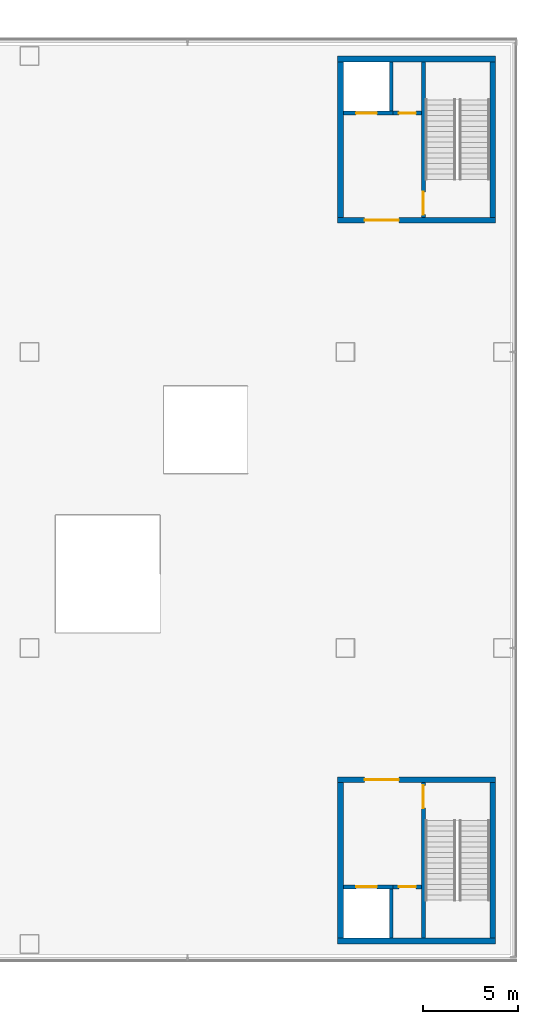
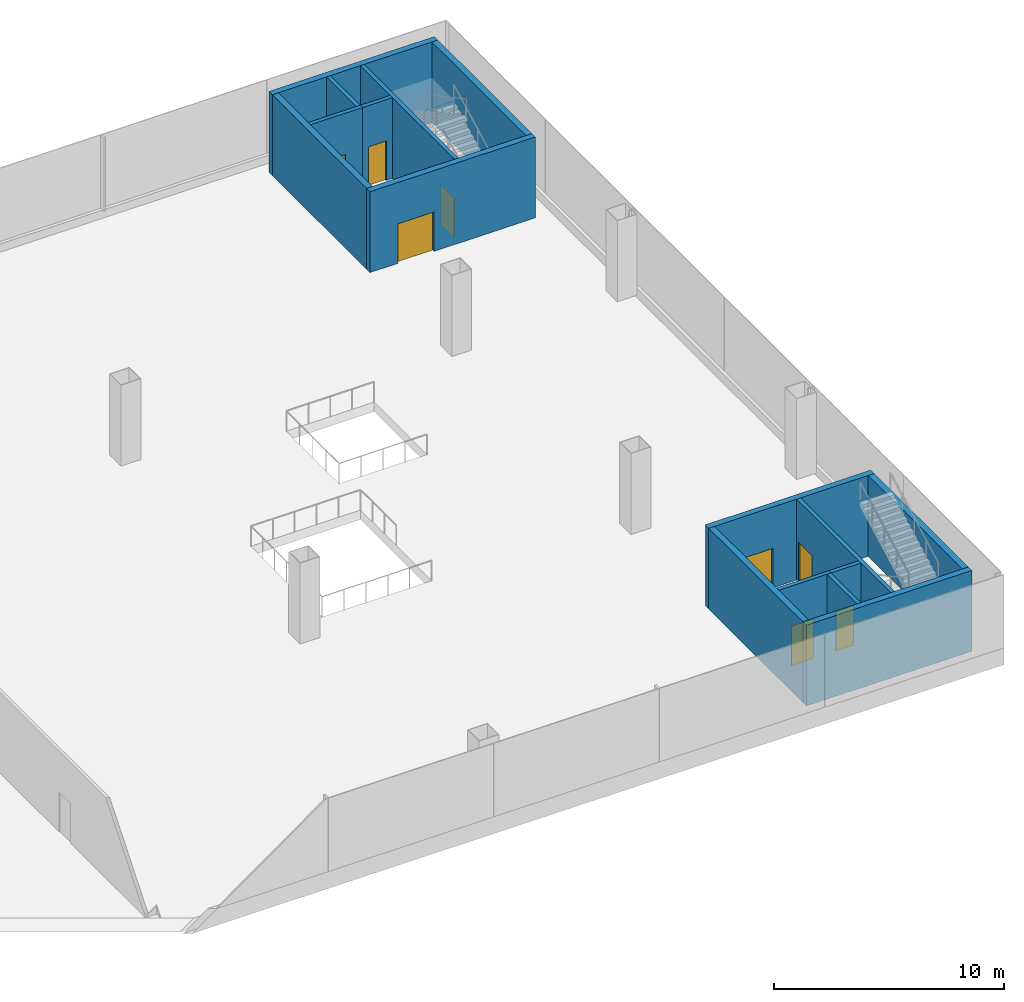
# One storey, part 26 of 53: 16 walls, 8 doors, 8 openings.
"""IFC4 building model written with IfcOpenShell, lengths in metres."""

from ifc_helpers import new_model, si_unit, direction, frame, frame_2d, origin, place, context, subcontext, project, spatial, rectangle, extrude, material, layer, layer_set, type_object, element, fill, save


model = new_model("IFC4")

# Units and contexts
model_context = context("Model", 3, precision=1e-05, world=origin(), true_north=direction((0.0, 1.0)))
body_context = subcontext(model_context, "Body", "Model", "MODEL_VIEW")
ifc_project = project(units=[si_unit("LENGTHUNIT", "METRE"), si_unit("AREAUNIT", "SQUARE_METRE"), si_unit("VOLUMEUNIT", "CUBIC_METRE"), si_unit("PLANEANGLEUNIT", "RADIAN"), si_unit("MASSUNIT", "GRAM", prefix="KILO")], contexts=[model_context])

# Site, building, storey
site_placement = place(None, origin())
site = spatial("IfcSite", under=ifc_project, at=site_placement, CompositionType="ELEMENT")
building_placement = place(site_placement, origin())
building = spatial("IfcBuilding", under=site, at=building_placement, Name="Hakoniwa Tower and Hamabe Station Hall", CompositionType="ELEMENT")
storey_placement = place(building_placement, frame((0.0, 0.0, 15.0)))
storey = spatial("IfcBuildingStorey", under=building, at=storey_placement, Name="L03", CompositionType="ELEMENT", Elevation=15.0)

# Wall, opening, door
ifc_material_1 = material(Name="Concrete block masonry fb10", Category="masonry")
ifc_layer_1 = layer(ifc_material_1, 0.199951171875)
ifc_layer_set_1 = layer_set([ifc_layer_1], Name="BLOCK WALL 200 EI 60")
wall_type_1 = type_object("IfcWallType", Name="BLOCK WALL 200 EI 60", PredefinedType="PARTITIONING", material=ifc_layer_set_1)
wall_1_placement = place(storey_placement, frame((164.85009765625, 20.39990234375, 0.0), z_axis=(0.0, 0.0, 1.0), x_axis=(-1.0, 0.0, 0.0)))
wall_1 = element("IfcWall", 1, at=wall_1_placement, inside=storey, type_object=wall_type_1, Name="Station riser room wall SC2 L03", PredefinedType="PARTITIONING", context=body_context, shape_type="SweptSolid", body=[
    extrude(rectangle(XDim=1.5, YDim=0.199951171875, at=frame_2d((0.75, 0.0))), origin(), (0.0, 0.0, 1.0), 4.300048828125),
])
opening_1_placement = place(wall_1_placement, frame((0.300048828125, 0.0, 0.0)))
opening_1 = element("IfcOpeningElement", 2, at=opening_1_placement, cuts=wall_1, Name="Opening SD-L03-015", PredefinedType="OPENING", context=body_context, shape_type="SweptSolid", body=[
    extrude(rectangle(XDim=0.89990234375, YDim=2.10009765625, at=frame_2d((0.449951171875, 1.050048828125))), frame((0.0, 0.10986328125, 0.0), z_axis=(0.0, -1.0, 0.0), x_axis=(1.0, 0.0, 0.0)), (0.0, 0.0, 1.0), 0.219970703125),
])
ifc_material_2 = material(Name="Steel fire door", Category="steel")
door_type_1 = type_object("IfcDoorType", Name="FIRE DOOR 900X2100 FD30", OperationType="SINGLE_SWING_LEFT", PredefinedType="DOOR", material=ifc_material_2)
door_1_placement = place(opening_1_placement, origin())
door_1 = element("IfcDoor", 3, at=door_1_placement, inside=storey, type_object=door_type_1, Name="Door riser SC2", OperationType="SINGLE_SWING_RIGHT", OverallHeight=2.10009765625, OverallWidth=0.89990234375, PredefinedType="DOOR", context=body_context, shape_type="SweptSolid", body=[
    extrude(rectangle(XDim=0.89990234375, YDim=2.10009765625, at=frame_2d((0.449951171875, 1.050048828125))), frame((0.0, 0.02490234375, 0.0), z_axis=(0.0, -1.0, 0.0), x_axis=(1.0, 0.0, 0.0)), (0.0, 0.0, 1.0), 0.050048828125),
])
fill(opening_1, door_1)

wall_2_placement = place(storey_placement, frame((164.85009765625, -20.39990234375, 0.0), z_axis=(0.0, 0.0, 1.0), x_axis=(-1.0, 0.0, 0.0)))
wall_2 = element("IfcWall", 4, at=wall_2_placement, inside=storey, type_object=wall_type_1, Name="Station riser room wall SC4 L03", PredefinedType="PARTITIONING", context=body_context, shape_type="SweptSolid", body=[
    extrude(rectangle(XDim=1.5, YDim=0.199951171875, at=frame_2d((0.75, 0.0))), origin(), (0.0, 0.0, 1.0), 4.300048828125),
])
opening_2_placement = place(wall_2_placement, frame((0.300048828125, 0.0, 0.0)))
opening_2 = element("IfcOpeningElement", 5, at=opening_2_placement, cuts=wall_2, Name="Opening SD-L03-021", PredefinedType="OPENING", context=body_context, shape_type="SweptSolid", body=[
    extrude(rectangle(XDim=0.89990234375, YDim=2.10009765625, at=frame_2d((0.449951171875, 1.050048828125))), frame((0.0, 0.10986328125, 0.0), z_axis=(0.0, -1.0, 0.0), x_axis=(1.0, 0.0, 0.0)), (0.0, 0.0, 1.0), 0.219970703125),
])
door_2_placement = place(opening_2_placement, origin())
door_2 = element("IfcDoor", 6, at=door_2_placement, inside=storey, type_object=door_type_1, Name="Door riser SC4", OperationType="SINGLE_SWING_LEFT", OverallHeight=2.10009765625, OverallWidth=0.89990234375, PredefinedType="DOOR", context=body_context, shape_type="SweptSolid", body=[
    extrude(rectangle(XDim=0.89990234375, YDim=2.10009765625, at=frame_2d((0.449951171875, 1.050048828125))), frame((0.0, 0.02490234375, 0.0), z_axis=(0.0, -1.0, 0.0), x_axis=(1.0, 0.0, 0.0)), (0.0, 0.0, 1.0), 0.050048828125),
])
fill(opening_2, door_2)

ifc_material_3 = material(Name="Concrete C60", Category="concrete")
ifc_layer_2 = layer(ifc_material_3, 0.199951171875)
ifc_layer_set_2 = layer_set([ifc_layer_2], Name="RC WALL 200 EI 120 C60")
wall_type_2 = type_object("IfcWallType", Name="RC WALL 200 EI 120 C60", PredefinedType="SHEAR", material=ifc_layer_set_2)
wall_3_placement = place(storey_placement, frame((164.949951171875, 23.10009765625, 0.0), z_axis=(0.0, 0.0, 1.0), x_axis=(0.0, -1.0, 0.0)))
wall_3 = element("IfcWall", 7, at=wall_3_placement, inside=storey, type_object=wall_type_2, Name="Station stair wall SC2 L03", PredefinedType="SHEAR", context=body_context, shape_type="SweptSolid", body=[
    extrude(rectangle(XDim=8.2001953125, YDim=0.199951171875, at=frame_2d((4.10009765625, 0.0))), origin(), (0.0, 0.0, 1.0), 4.300048828125),
])
opening_3_placement = place(wall_3_placement, frame((6.85009765625, 0.0, 0.0)))
opening_3 = element("IfcOpeningElement", 8, at=opening_3_placement, cuts=wall_3, Name="Opening SD-L03-014", PredefinedType="OPENING", context=body_context, shape_type="SweptSolid", body=[
    extrude(rectangle(XDim=1.199951171875, YDim=2.10009765625, at=frame_2d((0.60009765625, 1.050048828125))), frame((0.0, 0.10986328125, 0.0), z_axis=(0.0, -1.0, 0.0), x_axis=(1.0, 0.0, 0.0)), (0.0, 0.0, 1.0), 0.219970703125),
])
ifc_material_4 = material(Name="Steel fire door", Category="steel")
door_type_2 = type_object("IfcDoorType", Name="FIRE DOOR 1200X2100 FD60", OperationType="SINGLE_SWING_LEFT", PredefinedType="DOOR", material=ifc_material_4)
door_3_placement = place(opening_3_placement, origin())
door_3 = element("IfcDoor", 9, at=door_3_placement, inside=storey, type_object=door_type_2, Name="Door escape stair SC2", OperationType="SINGLE_SWING_LEFT", OverallHeight=2.10009765625, OverallWidth=1.199951171875, PredefinedType="DOOR", context=body_context, shape_type="SweptSolid", body=[
    extrude(rectangle(XDim=1.199951171875, YDim=2.10009765625, at=frame_2d((0.60009765625, 1.050048828125))), frame((0.0, 0.02490234375, 0.0), z_axis=(0.0, -1.0, 0.0), x_axis=(1.0, 0.0, 0.0)), (0.0, 0.0, 1.0), 0.050048828125),
])
fill(opening_3, door_3)

wall_4_placement = place(storey_placement, frame((164.949951171875, -23.10009765625, 0.0), z_axis=(0.0, 0.0, 1.0), x_axis=(0.0, 1.0, 0.0)))
wall_4 = element("IfcWall", 10, at=wall_4_placement, inside=storey, type_object=wall_type_2, Name="Station stair wall SC4 L03", PredefinedType="SHEAR", context=body_context, shape_type="SweptSolid", body=[
    extrude(rectangle(XDim=8.2001953125, YDim=0.199951171875, at=frame_2d((4.10009765625, 0.0))), origin(), (0.0, 0.0, 1.0), 4.300048828125),
])
opening_4_placement = place(wall_4_placement, frame((6.85009765625, 0.0, 0.0)))
opening_4 = element("IfcOpeningElement", 11, at=opening_4_placement, cuts=wall_4, Name="Opening SD-L03-020", PredefinedType="OPENING", context=body_context, shape_type="SweptSolid", body=[
    extrude(rectangle(XDim=1.199951171875, YDim=2.10009765625, at=frame_2d((0.60009765625, 1.050048828125))), frame((0.0, 0.10986328125, 0.0), z_axis=(0.0, -1.0, 0.0), x_axis=(1.0, 0.0, 0.0)), (0.0, 0.0, 1.0), 0.219970703125),
])
door_4_placement = place(opening_4_placement, origin())
door_4 = element("IfcDoor", 12, at=door_4_placement, inside=storey, type_object=door_type_2, Name="Door escape stair SC4", OperationType="SINGLE_SWING_LEFT", OverallHeight=2.10009765625, OverallWidth=1.199951171875, PredefinedType="DOOR", context=body_context, shape_type="SweptSolid", body=[
    extrude(rectangle(XDim=1.199951171875, YDim=2.10009765625, at=frame_2d((0.60009765625, 1.050048828125))), frame((0.0, 0.02490234375, 0.0), z_axis=(0.0, -1.0, 0.0), x_axis=(1.0, 0.0, 0.0)), (0.0, 0.0, 1.0), 0.050048828125),
])
fill(opening_4, door_4)

# Wall
ifc_material_5 = material(Name="Concrete C60", Category="concrete")
ifc_layer_3 = layer(ifc_material_5, 0.199951171875)
ifc_layer_set_3 = layer_set([ifc_layer_3], Name="RC WALL 200 EI 60 C60")
wall_type_3 = type_object("IfcWallType", Name="RC WALL 200 EI 60 C60", PredefinedType="SHEAR", material=ifc_layer_set_3)
wall_5_placement = place(storey_placement, frame((163.25, 23.10009765625, 0.0), z_axis=(0.0, 0.0, 1.0), x_axis=(0.0, -1.0, 0.0)))
element("IfcWall", 13, at=wall_5_placement, inside=storey, type_object=wall_type_3, Name="Station hoistway wall SC2 L03", PredefinedType="SHEAR", context=body_context, shape_type="SweptSolid", body=[
    extrude(rectangle(XDim=2.60009765625, YDim=0.199951171875, at=frame_2d((1.300048828125, 0.0))), origin(), (0.0, 0.0, 1.0), 4.300048828125),
])

# Wall, opening, door
wall_6_placement = place(storey_placement, frame((163.35009765625, 20.39990234375, 0.0), z_axis=(0.0, 0.0, 1.0), x_axis=(-1.0, 0.0, 0.0)))
wall_6 = element("IfcWall", 14, at=wall_6_placement, inside=storey, type_object=wall_type_3, Name="Station hoistway front wall SC2 L03", PredefinedType="SHEAR", context=body_context, shape_type="SweptSolid", body=[
    extrude(rectangle(XDim=2.6201171875, YDim=0.199951171875, at=frame_2d((1.31005859375, 0.0))), origin(), (0.0, 0.0, 1.0), 4.300048828125),
])
opening_5_placement = place(wall_6_placement, frame((0.85009765625, 0.0, 0.0)))
opening_5 = element("IfcOpeningElement", 15, at=opening_5_placement, cuts=wall_6, Name="Opening LD-SL2-L03", PredefinedType="OPENING", context=body_context, shape_type="SweptSolid", body=[
    extrude(rectangle(XDim=1.10009765625, YDim=2.10009765625, at=frame_2d((0.550048828125, 1.050048828125))), frame((0.0, 0.10986328125, 0.0), z_axis=(0.0, -1.0, 0.0), x_axis=(1.0, 0.0, 0.0)), (0.0, 0.0, 1.0), 0.219970703125),
])
ifc_material_6 = material(Name="Stainless steel SUS304", Category="steel")
door_type_3 = type_object("IfcDoorType", Name="LIFT LANDING DOOR 1100X2100", OperationType="DOUBLE_DOOR_SLIDING", PredefinedType="DOOR", material=ifc_material_6)
door_5_placement = place(opening_5_placement, origin())
door_5 = element("IfcDoor", 16, at=door_5_placement, inside=storey, type_object=door_type_3, Name="Lift landing door SL2 L03", OperationType="DOUBLE_DOOR_SLIDING", OverallHeight=2.10009765625, OverallWidth=1.10009765625, PredefinedType="DOOR", context=body_context, shape_type="SweptSolid", body=[
    extrude(rectangle(XDim=1.10009765625, YDim=2.10009765625, at=frame_2d((0.550048828125, 1.050048828125))), frame((0.0, 0.02490234375, 0.0), z_axis=(0.0, -1.0, 0.0), x_axis=(1.0, 0.0, 0.0)), (0.0, 0.0, 1.0), 0.050048828125),
])
fill(opening_5, door_5)

# Wall
wall_7_placement = place(storey_placement, frame((163.25, -23.10009765625, 0.0), z_axis=(0.0, 0.0, 1.0), x_axis=(0.0, 1.0, 0.0)))
element("IfcWall", 17, at=wall_7_placement, inside=storey, type_object=wall_type_3, Name="Station hoistway wall SC4 L03", PredefinedType="SHEAR", context=body_context, shape_type="SweptSolid", body=[
    extrude(rectangle(XDim=2.60009765625, YDim=0.199951171875, at=frame_2d((1.300048828125, 0.0))), origin(), (0.0, 0.0, 1.0), 4.300048828125),
])

# Wall, opening, door
wall_8_placement = place(storey_placement, frame((163.35009765625, -20.39990234375, 0.0), z_axis=(0.0, 0.0, 1.0), x_axis=(-1.0, 0.0, 0.0)))
wall_8 = element("IfcWall", 18, at=wall_8_placement, inside=storey, type_object=wall_type_3, Name="Station hoistway front wall SC4 L03", PredefinedType="SHEAR", context=body_context, shape_type="SweptSolid", body=[
    extrude(rectangle(XDim=2.6201171875, YDim=0.199951171875, at=frame_2d((1.31005859375, 0.0))), origin(), (0.0, 0.0, 1.0), 4.300048828125),
])
opening_6_placement = place(wall_8_placement, frame((0.85009765625, 0.0, 0.0)))
opening_6 = element("IfcOpeningElement", 19, at=opening_6_placement, cuts=wall_8, Name="Opening LD-SL4-L03", PredefinedType="OPENING", context=body_context, shape_type="SweptSolid", body=[
    extrude(rectangle(XDim=1.10009765625, YDim=2.10009765625, at=frame_2d((0.550048828125, 1.050048828125))), frame((0.0, 0.10986328125, 0.0), z_axis=(0.0, -1.0, 0.0), x_axis=(1.0, 0.0, 0.0)), (0.0, 0.0, 1.0), 0.219970703125),
])
door_6_placement = place(opening_6_placement, origin())
door_6 = element("IfcDoor", 20, at=door_6_placement, inside=storey, type_object=door_type_3, Name="Lift landing door SL4 L03", OperationType="DOUBLE_DOOR_SLIDING", OverallHeight=2.10009765625, OverallWidth=1.10009765625, PredefinedType="DOOR", context=body_context, shape_type="SweptSolid", body=[
    extrude(rectangle(XDim=1.10009765625, YDim=2.10009765625, at=frame_2d((0.550048828125, 1.050048828125))), frame((0.0, 0.02490234375, 0.0), z_axis=(0.0, -1.0, 0.0), x_axis=(1.0, 0.0, 0.0)), (0.0, 0.0, 1.0), 0.050048828125),
])
fill(opening_6, door_6)

# Wall
ifc_material_7 = material(Name="Concrete C60", Category="concrete")
ifc_layer_4 = layer(ifc_material_7, 0.300048828125)
ifc_layer_set_4 = layer_set([ifc_layer_4], Name="RC WALL 300 EI 120 C60")
wall_type_4 = type_object("IfcWallType", Name="RC WALL 300 EI 120 C60", PredefinedType="SHEAR", material=ifc_layer_set_4)
wall_9_placement = place(storey_placement, frame((168.75, 23.25, 0.0), z_axis=(0.0, 0.0, 1.0), x_axis=(-1.0, 0.0, 0.0)))
element("IfcWall", 21, at=wall_9_placement, inside=storey, type_object=wall_type_4, Name="Station core wall SC2 outer-v L03", PredefinedType="SHEAR", context=body_context, shape_type="SweptSolid", body=[
    extrude(rectangle(XDim=8.320068359375, YDim=0.300048828125, at=frame_2d((4.16015625, 0.0))), origin(), (0.0, 0.0, 1.0), 4.300048828125),
])

# Wall, opening, door
wall_10_placement = place(storey_placement, frame((168.75, 14.75, 0.0), z_axis=(0.0, 0.0, 1.0), x_axis=(-1.0, 0.0, 0.0)))
wall_10 = element("IfcWall", 22, at=wall_10_placement, inside=storey, type_object=wall_type_4, Name="Station core wall SC2 inner-v L03", PredefinedType="SHEAR", context=body_context, shape_type="SweptSolid", body=[
    extrude(rectangle(XDim=8.320068359375, YDim=0.300048828125, at=frame_2d((4.16015625, 0.0))), origin(), (0.0, 0.0, 1.0), 4.300048828125),
])
opening_7_placement = place(wall_10_placement, frame((5.10009765625, 0.0, 0.0)))
opening_7 = element("IfcOpeningElement", 23, at=opening_7_placement, cuts=wall_10, Name="Opening SD-L03-013", PredefinedType="OPENING", context=body_context, shape_type="SweptSolid", body=[
    extrude(rectangle(XDim=1.800048828125, YDim=2.10009765625, at=frame_2d((0.89990234375, 1.050048828125))), frame((0.0, 0.159912109375, 0.0), z_axis=(0.0, -1.0, 0.0), x_axis=(1.0, 0.0, 0.0)), (0.0, 0.0, 1.0), 0.320068359375),
])
ifc_material_8 = material(Name="Steel fire door", Category="steel")
door_type_4 = type_object("IfcDoorType", Name="FIRE DOUBLE DOOR 1800X2100 FD60", OperationType="DOUBLE_DOOR_SINGLE_SWING", PredefinedType="DOOR", material=ifc_material_8)
door_7_placement = place(opening_7_placement, origin())
door_7 = element("IfcDoor", 24, at=door_7_placement, inside=storey, type_object=door_type_4, Name="Door lobby SC2", OperationType="DOUBLE_DOOR_SINGLE_SWING", OverallHeight=2.10009765625, OverallWidth=1.800048828125, PredefinedType="DOOR", context=body_context, shape_type="SweptSolid", body=[
    extrude(rectangle(XDim=1.800048828125, YDim=2.10009765625, at=frame_2d((0.89990234375, 1.050048828125))), frame((0.0, 0.02490234375, 0.0), z_axis=(0.0, -1.0, 0.0), x_axis=(1.0, 0.0, 0.0)), (0.0, 0.0, 1.0), 0.050048828125),
])
fill(opening_7, door_7)

# Walls
for number, where, z_axis, x_axis, name in (
    (25, (168.60009765625, 23.10009765625, 0.0), (0.0, 0.0, 1.0), (0.0, -1.0, 0.0), "Station core wall SC2 outer-u L03"),
    (26, (160.580078125, 23.10009765625, 0.0), (0.0, 0.0, 1.0), (0.0, -1.0, 0.0), "Station core wall SC2 inner-u L03"),
):
    element("IfcWall", number, at=place(storey_placement, frame(where, z_axis=z_axis, x_axis=x_axis)), inside=storey, type_object=wall_type_4, Name=name, PredefinedType="SHEAR", context=body_context, shape_type="SweptSolid", body=[
        extrude(rectangle(XDim=8.2001953125, YDim=0.300048828125, at=frame_2d((4.10009765625, 0.0))), origin(), (0.0, 0.0, 1.0), 4.300048828125),
    ])
wall_11_placement = place(storey_placement, frame((168.75, -23.25, 0.0), z_axis=(0.0, 0.0, 1.0), x_axis=(-1.0, 0.0, 0.0)))
element("IfcWall", 27, at=wall_11_placement, inside=storey, type_object=wall_type_4, Name="Station core wall SC4 outer-v L03", PredefinedType="SHEAR", context=body_context, shape_type="SweptSolid", body=[
    extrude(rectangle(XDim=8.320068359375, YDim=0.300048828125, at=frame_2d((4.16015625, 0.0))), origin(), (0.0, 0.0, 1.0), 4.300048828125),
])

# Wall, opening, door
wall_12_placement = place(storey_placement, frame((168.75, -14.75, 0.0), z_axis=(0.0, 0.0, 1.0), x_axis=(-1.0, 0.0, 0.0)))
wall_12 = element("IfcWall", 28, at=wall_12_placement, inside=storey, type_object=wall_type_4, Name="Station core wall SC4 inner-v L03", PredefinedType="SHEAR", context=body_context, shape_type="SweptSolid", body=[
    extrude(rectangle(XDim=8.320068359375, YDim=0.300048828125, at=frame_2d((4.16015625, 0.0))), origin(), (0.0, 0.0, 1.0), 4.300048828125),
])
opening_8_placement = place(wall_12_placement, frame((5.10009765625, 0.0, 0.0)))
opening_8 = element("IfcOpeningElement", 29, at=opening_8_placement, cuts=wall_12, Name="Opening SD-L03-019", PredefinedType="OPENING", context=body_context, shape_type="SweptSolid", body=[
    extrude(rectangle(XDim=1.800048828125, YDim=2.10009765625, at=frame_2d((0.89990234375, 1.050048828125))), frame((0.0, 0.159912109375, 0.0), z_axis=(0.0, -1.0, 0.0), x_axis=(1.0, 0.0, 0.0)), (0.0, 0.0, 1.0), 0.320068359375),
])
door_8_placement = place(opening_8_placement, origin())
door_8 = element("IfcDoor", 30, at=door_8_placement, inside=storey, type_object=door_type_4, Name="Door lobby SC4", OperationType="DOUBLE_DOOR_SINGLE_SWING", OverallHeight=2.10009765625, OverallWidth=1.800048828125, PredefinedType="DOOR", context=body_context, shape_type="SweptSolid", body=[
    extrude(rectangle(XDim=1.800048828125, YDim=2.10009765625, at=frame_2d((0.89990234375, 1.050048828125))), frame((0.0, 0.02490234375, 0.0), z_axis=(0.0, -1.0, 0.0), x_axis=(1.0, 0.0, 0.0)), (0.0, 0.0, 1.0), 0.050048828125),
])
fill(opening_8, door_8)

# Walls
for number, where, z_axis, x_axis, name in (
    (31, (168.60009765625, -23.10009765625, 0.0), (0.0, 0.0, 1.0), (0.0, 1.0, 0.0), "Station core wall SC4 outer-u L03"),
    (32, (160.580078125, -23.10009765625, 0.0), (0.0, 0.0, 1.0), (0.0, 1.0, 0.0), "Station core wall SC4 inner-u L03"),
):
    element("IfcWall", number, at=place(storey_placement, frame(where, z_axis=z_axis, x_axis=x_axis)), inside=storey, type_object=wall_type_4, Name=name, PredefinedType="SHEAR", context=body_context, shape_type="SweptSolid", body=[
        extrude(rectangle(XDim=8.2001953125, YDim=0.300048828125, at=frame_2d((4.10009765625, 0.0))), origin(), (0.0, 0.0, 1.0), 4.300048828125),
    ])

save(model, "model.ifc")
